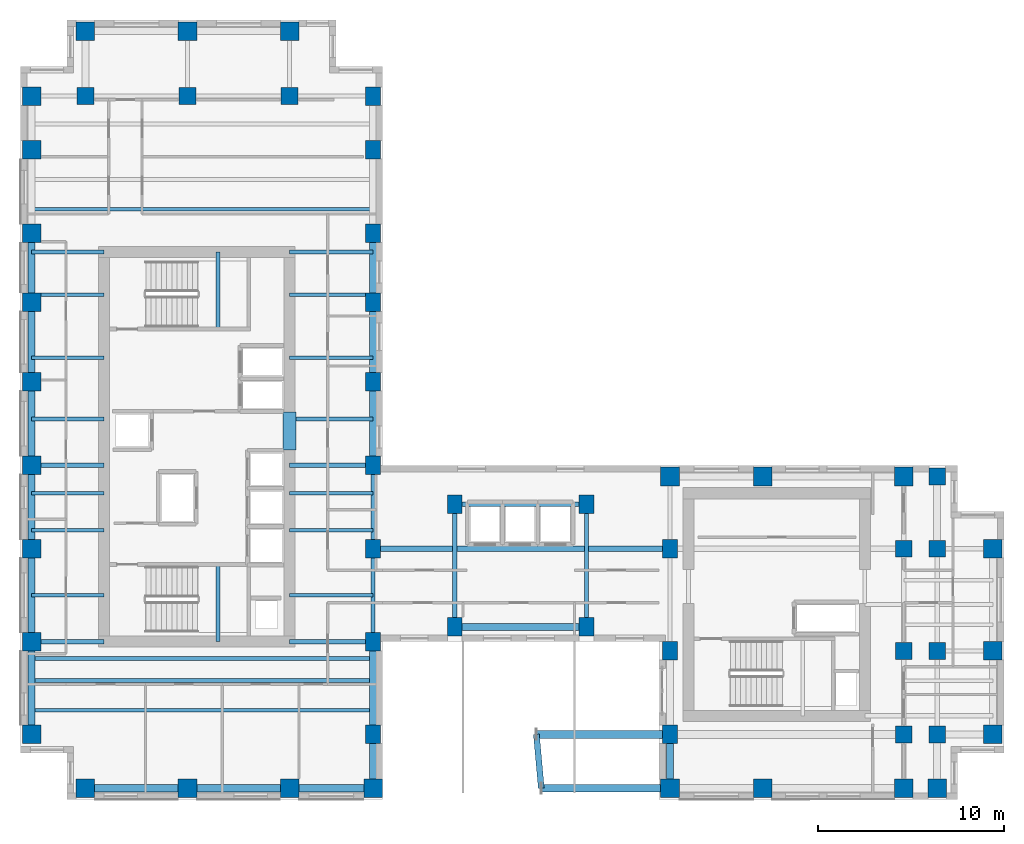
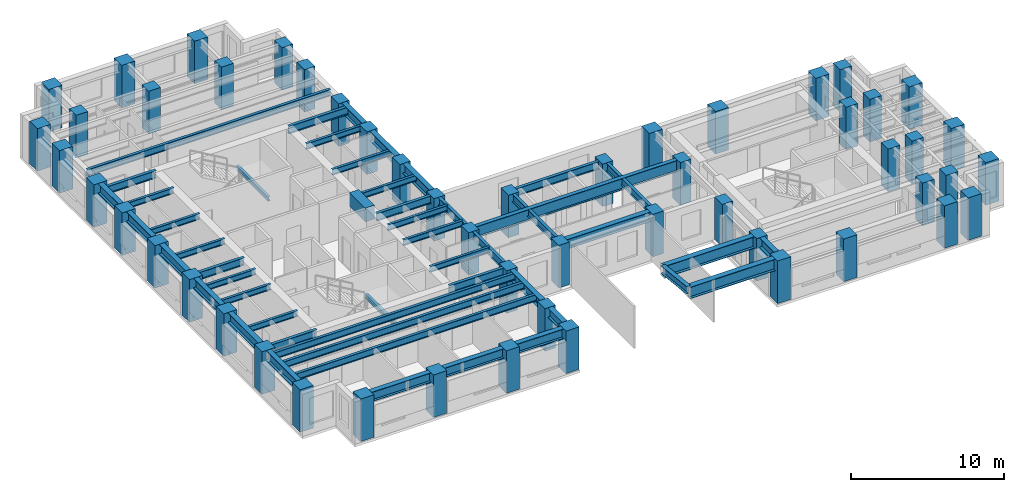
# One storey, part 1 of 13: 52 columns, 50 beams.
"""IFC4 building model written with IfcOpenShell, lengths in metres."""

from ifc_helpers import new_model, si_unit, direction, frame, origin, origin_2d, place, context, subcontext, project, spatial, rectangle, i_section, extrude, source, transform, mapped, material, material_profile, profile_set, type_object, element, save


model = new_model("IFC4")

# Units and contexts
model_context = context("Model", 3, precision=1e-05, world=origin(), true_north=direction((0.0, 1.0)))
body_context = subcontext(model_context, "Body", "Model", "MODEL_VIEW")
ifc_project = project(units=[si_unit("LENGTHUNIT", "METRE"), si_unit("AREAUNIT", "SQUARE_METRE"), si_unit("VOLUMEUNIT", "CUBIC_METRE"), si_unit("PLANEANGLEUNIT", "RADIAN"), si_unit("MASSUNIT", "GRAM", prefix="KILO")], contexts=[model_context])

# Site, building, storey
site_placement = place(None, origin())
site = spatial("IfcSite", under=ifc_project, at=site_placement, CompositionType="ELEMENT")
building_placement = place(site_placement, origin())
building = spatial("IfcBuilding", under=site, at=building_placement, Name="Kharzan Plaza Tower", CompositionType="ELEMENT")
storey_placement = place(building_placement, frame((0.0, 0.0, 189.89990234375)))
storey = spatial("IfcBuildingStorey", under=building, at=storey_placement, Name="L51", CompositionType="ELEMENT", Elevation=189.89990234375)

# Columns
ifc_material_1 = material(Name="Concrete C50/60", Category="concrete")
ifc_material_profile_1 = material_profile(ifc_material_1, rectangle(XDim=0.89990234375, YDim=0.89990234375, at=origin_2d()), Name="RC-IC900x900")
ifc_profile_set_1 = profile_set([ifc_material_profile_1], Name="Concrete C50/60")
column_type_1 = type_object("IfcColumnType", Name="COL-IC900", PredefinedType="COLUMN", material=ifc_profile_set_1)
shared_shape_1 = source(origin(), body_context, "Body", "SweptSolid", [
    extrude(rectangle(XDim=0.89990234375, YDim=0.89990234375, at=origin_2d()), origin(), (0.0, 0.0, 1.0), 3.400146484375),
])
for number, where, z_axis, x_axis, name in (
    (1, (47.60009765625, 13.5, 0.0), (0.0, 0.0, 1.0), (1.0, 0.0, 0.0), "L51 Structural Column TCBI-135"),
    (2, (47.60009765625, 3.5, 0.0), (0.0, 0.0, 1.0), (1.0, 0.0, 0.0), "L51 Structural Column TCBI-35"),
    (3, (47.60009765625, 8.0, 0.0), (0.0, 0.0, 1.0), (1.0, 0.0, 0.0), "L51 Structural Column TCBI-80"),
    (4, (49.39990234375, 13.5, 0.0), (0.0, 0.0, 1.0), (1.0, 0.0, 0.0), "L51 Structural Column TCE-494-135"),
    (5, (49.39990234375, 17.39990234375, 0.0), (0.0, 0.0, 1.0), (1.0, 0.0, 0.0), "L51 Structural Column TCE-494-174"),
    (6, (49.39990234375, 3.5, 0.0), (0.0, 0.0, 1.0), (1.0, 0.0, 0.0), "L51 Structural Column TCE-494-35"),
    (7, (49.39990234375, 8.0, 0.0), (0.0, 0.0, 1.0), (1.0, 0.0, 0.0), "L51 Structural Column TCE-494-80"),
    (8, (14.5, 37.89990234375, 0.0), (0.0, 0.0, 1.0), (1.0, 0.0, 0.0), "L51 Structural Column TCN-145-379"),
    (9, (3.5, 37.89990234375, 0.0), (0.0, 0.0, 1.0), (1.0, 0.0, 0.0), "L51 Structural Column TCN-35-379"),
    (10, (9.0, 37.89990234375, 0.0), (0.0, 0.0, 1.0), (1.0, 0.0, 0.0), "L51 Structural Column TCN-90-379"),
):
    element("IfcColumn", number, at=place(storey_placement, frame(where, z_axis=z_axis, x_axis=x_axis)), inside=storey, type_object=column_type_1, Name=name, PredefinedType="COLUMN", context=body_context, shape_type="MappedRepresentation", body=[
        mapped(shared_shape_1, transform((0.0, 0.0, 0.0), x_axis=(1.0, 0.0, 0.0), y_axis=(0.0, 1.0, 0.0), z_axis=(0.0, 0.0, 1.0))),
    ])
ifc_material_profile_2 = material_profile(ifc_material_1, rectangle(XDim=0.800048828125, YDim=1.0, at=origin_2d()), Name="RC-SC1000x800")
ifc_profile_set_2 = profile_set([ifc_material_profile_2], Name="Concrete C50/60")
column_type_2 = type_object("IfcColumnType", Name="COL-SC1000", PredefinedType="COLUMN", material=ifc_profile_set_2)
shared_shape_2 = source(origin(), body_context, "Body", "SweptSolid", [
    extrude(rectangle(XDim=0.800048828125, YDim=1.0, at=origin_2d()), origin(), (0.0, 0.0, 1.0), 3.400146484375),
])
for number, where, z_axis, x_axis, name in (
    (11, (19.0, 13.5, 0.0), (0.0, 0.0, 1.0), (1.0, 0.0, 0.0), "L51 Structural Column TCA-135"),
    (12, (19.0, 18.0, 0.0), (0.0, 0.0, 1.0), (1.0, 0.0, 0.0), "L51 Structural Column TCA-180"),
    (13, (19.0, 22.5, 0.0), (0.0, 0.0, 1.0), (1.0, 0.0, 0.0), "L51 Structural Column TCA-225"),
    (14, (19.0, 26.800048828125, 0.0), (0.0, 0.0, 1.0), (1.0, 0.0, 0.0), "L51 Structural Column TCA-268"),
    (15, (19.0, 30.5, 0.0), (0.0, 0.0, 1.0), (1.0, 0.0, 0.0), "L51 Structural Column TCA-305"),
    (16, (19.0, 3.5, 0.0), (0.0, 0.0, 1.0), (1.0, 0.0, 0.0), "L51 Structural Column TCA-35"),
    (17, (19.0, 35.0, 0.0), (0.0, 0.0, 1.0), (1.0, 0.0, 0.0), "L51 Structural Column TCA-350"),
    (18, (19.0, 37.89990234375, 0.0), (0.0, 0.0, 1.0), (1.0, 0.0, 0.0), "L51 Structural Column TCA-379"),
    (19, (19.0, 8.5, 0.0), (0.0, 0.0, 1.0), (1.0, 0.0, 0.0), "L51 Structural Column TCA-85"),
    (20, (35.0, 13.5, 0.0), (0.0, 0.0, 1.0), (1.0, 0.0, 0.0), "L51 Structural Column TCBS-135"),
    (21, (35.0, 3.5, 0.0), (0.0, 0.0, 1.0), (1.0, 0.0, 0.0), "L51 Structural Column TCBS-35"),
    (22, (35.0, 8.0, 0.0), (0.0, 0.0, 1.0), (1.0, 0.0, 0.0), "L51 Structural Column TCBS-80"),
    (23, (23.39990234375, 15.89990234375, 0.0), (0.0, 0.0, 1.0), (1.0, 0.0, 0.0), "L51 Structural Column TCSP-234-159"),
    (24, (23.39990234375, 9.300048828125, 0.0), (0.0, 0.0, 1.0), (1.0, 0.0, 0.0), "L51 Structural Column TCSP-234-93"),
    (25, (30.5, 15.89990234375, 0.0), (0.0, 0.0, 1.0), (1.0, 0.0, 0.0), "L51 Structural Column TCSP-305-159"),
    (26, (30.5, 9.300048828125, 0.0), (0.0, 0.0, 1.0), (1.0, 0.0, 0.0), "L51 Structural Column TCSP-305-93"),
):
    element("IfcColumn", number, at=place(storey_placement, frame(where, z_axis=z_axis, x_axis=x_axis)), inside=storey, type_object=column_type_2, Name=name, PredefinedType="COLUMN", context=body_context, shape_type="MappedRepresentation", body=[
        mapped(shared_shape_2, transform((0.0, 0.0, 0.0), x_axis=(1.0, 0.0, 0.0), y_axis=(0.0, 1.0, 0.0), z_axis=(0.0, 0.0, 1.0))),
    ])
ifc_material_profile_3 = material_profile(ifc_material_1, rectangle(XDim=1.0, YDim=1.0, at=origin_2d()), Name="RC-TC1000x1000")
ifc_profile_set_3 = profile_set([ifc_material_profile_3], Name="Concrete C50/60")
column_type_3 = type_object("IfcColumnType", Name="COL-TC1000", PredefinedType="COLUMN", material=ifc_profile_set_3)
shared_shape_3 = source(origin(), body_context, "Body", "SweptSolid", [
    extrude(rectangle(XDim=1.0, YDim=1.0, at=origin_2d()), origin(), (0.0, 0.0, 1.0), 3.400146484375),
])
for number, where, z_axis, x_axis, name in (
    (27, (35.0, 17.39990234375, 0.0), (0.0, 0.0, 1.0), (1.0, 0.0, 0.0), "L51 Structural Column TCBN-350-174"),
    (28, (40.0, 17.39990234375, 0.0), (0.0, 0.0, 1.0), (1.0, 0.0, 0.0), "L51 Structural Column TCBN-400-174"),
    (29, (47.60009765625, 17.39990234375, 0.0), (0.0, 0.0, 1.0), (1.0, 0.0, 0.0), "L51 Structural Column TCBN-476-174"),
    (30, (52.39990234375, 13.5, 0.0), (0.0, 0.0, 1.0), (1.0, 0.0, 0.0), "L51 Structural Column TCE-524-135"),
    (31, (52.39990234375, 3.5, 0.0), (0.0, 0.0, 1.0), (1.0, 0.0, 0.0), "L51 Structural Column TCE-524-35"),
    (32, (52.39990234375, 8.0, 0.0), (0.0, 0.0, 1.0), (1.0, 0.0, 0.0), "L51 Structural Column TCE-524-80"),
    (33, (14.5, 41.39990234375, 0.0), (0.0, 0.0, 1.0), (1.0, 0.0, 0.0), "L51 Structural Column TCN-145-414"),
    (34, (3.5, 41.39990234375, 0.0), (0.0, 0.0, 1.0), (1.0, 0.0, 0.0), "L51 Structural Column TCN-35-414"),
    (35, (9.0, 41.39990234375, 0.0), (0.0, 0.0, 1.0), (1.0, 0.0, 0.0), "L51 Structural Column TCN-90-414"),
    (36, (14.5, 0.60009765625, 0.0), (0.0, 0.0, 1.0), (1.0, 0.0, 0.0), "L51 Structural Column TCS-145"),
    (37, (19.0, 0.60009765625, 0.0), (0.0, 0.0, 1.0), (1.0, 0.0, 0.0), "L51 Structural Column TCS-190"),
    (38, (3.5, 0.60009765625, 0.0), (0.0, 0.0, 1.0), (1.0, 0.0, 0.0), "L51 Structural Column TCS-35"),
    (39, (35.0, 0.60009765625, 0.0), (0.0, 0.0, 1.0), (1.0, 0.0, 0.0), "L51 Structural Column TCS-350"),
    (40, (40.0, 0.60009765625, 0.0), (0.0, 0.0, 1.0), (1.0, 0.0, 0.0), "L51 Structural Column TCS-400"),
    (41, (47.60009765625, 0.60009765625, 0.0), (0.0, 0.0, 1.0), (1.0, 0.0, 0.0), "L51 Structural Column TCS-476"),
    (42, (49.39990234375, 0.60009765625, 0.0), (0.0, 0.0, 1.0), (1.0, 0.0, 0.0), "L51 Structural Column TCS-494"),
    (43, (9.0, 0.60009765625, 0.0), (0.0, 0.0, 1.0), (1.0, 0.0, 0.0), "L51 Structural Column TCS-90"),
    (44, (0.60009765625, 13.5, 0.0), (0.0, 0.0, 1.0), (1.0, 0.0, 0.0), "L51 Structural Column TCW-135"),
    (45, (0.60009765625, 18.0, 0.0), (0.0, 0.0, 1.0), (1.0, 0.0, 0.0), "L51 Structural Column TCW-180"),
    (46, (0.60009765625, 22.5, 0.0), (0.0, 0.0, 1.0), (1.0, 0.0, 0.0), "L51 Structural Column TCW-225"),
    (47, (0.60009765625, 26.800048828125, 0.0), (0.0, 0.0, 1.0), (1.0, 0.0, 0.0), "L51 Structural Column TCW-268"),
    (48, (0.60009765625, 30.5, 0.0), (0.0, 0.0, 1.0), (1.0, 0.0, 0.0), "L51 Structural Column TCW-305"),
    (49, (0.60009765625, 3.5, 0.0), (0.0, 0.0, 1.0), (1.0, 0.0, 0.0), "L51 Structural Column TCW-35"),
    (50, (0.60009765625, 35.0, 0.0), (0.0, 0.0, 1.0), (1.0, 0.0, 0.0), "L51 Structural Column TCW-350"),
    (51, (0.60009765625, 37.89990234375, 0.0), (0.0, 0.0, 1.0), (1.0, 0.0, 0.0), "L51 Structural Column TCW-379"),
    (52, (0.60009765625, 8.5, 0.0), (0.0, 0.0, 1.0), (1.0, 0.0, 0.0), "L51 Structural Column TCW-85"),
):
    element("IfcColumn", number, at=place(storey_placement, frame(where, z_axis=z_axis, x_axis=x_axis)), inside=storey, type_object=column_type_3, Name=name, PredefinedType="COLUMN", context=body_context, shape_type="MappedRepresentation", body=[
        mapped(shared_shape_3, transform((0.0, 0.0, 0.0), x_axis=(1.0, 0.0, 0.0), y_axis=(0.0, 1.0, 0.0), z_axis=(0.0, 0.0, 1.0))),
    ])

# Beams
ifc_material_2 = material(Name="Concrete C60/75", Category="concrete")
ifc_material_profile_4 = material_profile(ifc_material_2, rectangle(XDim=0.699951171875, YDim=1.10009765625, at=origin_2d()), Name="RC-CB1100x700")
ifc_profile_set_4 = profile_set([ifc_material_profile_4], Name="Concrete C60/75")
beam_type_1 = type_object("IfcBeamType", Name="BM-RCCB1100", PredefinedType="LINTEL", material=ifc_profile_set_4)
shared_shape_4 = source(origin(), body_context, "Body", "SweptSolid", [
    extrude(rectangle(XDim=0.699951171875, YDim=1.10009765625, at=origin_2d()), origin(), (0.0, 0.0, 1.0), 2.059814453125),
])
beam_1_placement = place(storey_placement, frame((14.5, 18.820068359375, 2.85009765625), z_axis=(0.0, 1.0, 0.0), x_axis=(-1.0, 0.0, 0.0)))
element("IfcBeam", 53, at=beam_1_placement, inside=storey, type_object=beam_type_1, Name="L51 CORE-A RC coupling beam CB1", PredefinedType="LINTEL", context=body_context, shape_type="MappedRepresentation", body=[
    mapped(shared_shape_4, transform((0.0, 0.0, 0.0), x_axis=(1.0, 0.0, 0.0), y_axis=(0.0, 1.0, 0.0), z_axis=(0.0, 0.0, 1.0))),
])
ifc_material_3 = material(Name="Steel S355", Category="steel")
ifc_material_profile_5 = material_profile(ifc_material_3, i_section(OverallWidth=0.205078125, OverallDepth=0.35400390625, WebThickness=0.009521484375, FlangeThickness=0.016845703125, at=origin_2d()), Name="W360x79")
ifc_profile_set_5 = profile_set([ifc_material_profile_5], Name="Steel S355")
beam_type_2 = type_object("IfcBeamType", Name="BM-LNT360", PredefinedType="LINTEL", material=ifc_profile_set_5)
shared_shape_5 = source(origin(), body_context, "Body", "SweptSolid", [
    extrude(i_section(OverallWidth=0.205078125, OverallDepth=0.35400390625, WebThickness=0.009521484375, FlangeThickness=0.016845703125, at=origin_2d()), origin(), (0.0, 0.0, 1.0), 4.155029296875),
])
for number, where, z_axis, x_axis, name in (
    (54, (10.64990234375, 8.5, 1.423095703125), (0.0, 1.0, 0.0), (-1.0, 0.0, 0.0), "L51 Stair ST-1 Half-Landing Beam"),
    (55, (10.64990234375, 25.344970703125, 1.423095703125), (0.0, 1.0, 0.0), (-1.0, 0.0, 0.0), "L51 Stair ST-2 Half-Landing Beam"),
):
    element("IfcBeam", number, at=place(storey_placement, frame(where, z_axis=z_axis, x_axis=x_axis)), inside=storey, type_object=beam_type_2, Name=name, PredefinedType="LINTEL", context=body_context, shape_type="MappedRepresentation", body=[
        mapped(shared_shape_5, transform((0.0, 0.0, 0.0), x_axis=(1.0, 0.0, 0.0), y_axis=(0.0, 1.0, 0.0), z_axis=(0.0, 0.0, 1.0))),
    ])
ifc_material_profile_6 = material_profile(ifc_material_3, i_section(OverallWidth=0.304931640625, OverallDepth=0.9189453125, WebThickness=0.017333984375, FlangeThickness=0.02783203125, at=origin_2d()), Name="W920x253")
ifc_profile_set_6 = profile_set([ifc_material_profile_6], Name="Steel S355")
beam_type_3 = type_object("IfcBeamType", Name="BM-FG920B", PredefinedType="BEAM", material=ifc_profile_set_6)
shared_shape_6 = source(origin(), body_context, "Body", "SweptSolid", [
    extrude(i_section(OverallWidth=0.304931640625, OverallDepth=0.9189453125, WebThickness=0.017333984375, FlangeThickness=0.02783203125, at=origin_2d()), origin(), (0.0, 0.0, 1.0), 16.0),
])
beam_2_placement = place(storey_placement, frame((19.0, 13.5, 2.940673828125), z_axis=(1.0, 0.0, 0.0), x_axis=(0.0, 1.0, 0.0)))
element("IfcBeam", 56, at=beam_2_placement, inside=storey, type_object=beam_type_3, Name="L51 Primary Floor Girder", PredefinedType="BEAM", context=body_context, shape_type="MappedRepresentation", body=[
    mapped(shared_shape_6, transform((0.0, 0.0, 0.0), x_axis=(1.0, 0.0, 0.0), y_axis=(0.0, 1.0, 0.0), z_axis=(0.0, 0.0, 1.0))),
])
ifc_material_profile_7 = material_profile(ifc_material_3, i_section(OverallWidth=0.2099609375, OverallDepth=0.537109375, WebThickness=0.010986328125, FlangeThickness=0.017333984375, at=origin_2d()), Name="W530x101")
ifc_profile_set_7 = profile_set([ifc_material_profile_7], Name="Steel S355")
beam_type_4 = type_object("IfcBeamType", Name="BM-JST530B", PredefinedType="JOIST", material=ifc_profile_set_7)
shared_shape_7 = source(origin(), body_context, "Body", "SweptSolid", [
    extrude(i_section(OverallWidth=0.2099609375, OverallDepth=0.537109375, WebThickness=0.010986328125, FlangeThickness=0.017333984375, at=origin_2d()), origin(), (0.0, 0.0, 1.0), 18.39990234375),
])
for number, where, z_axis, x_axis, name in (
    (57, (0.60009765625, 4.800048828125, 3.131591796875), (1.0, 0.0, 0.0), (0.0, 1.0, 0.0), "L51 Wing A Composite Joist 01"),
    (58, (0.60009765625, 6.39990234375, 3.131591796875), (1.0, 0.0, 0.0), (0.0, 1.0, 0.0), "L51 Wing A Composite Joist 02"),
    (59, (0.60009765625, 7.60009765625, 3.131591796875), (1.0, 0.0, 0.0), (0.0, 1.0, 0.0), "L51 Wing A Composite Joist 03"),
    (60, (0.60009765625, 31.800048828125, 3.131591796875), (1.0, 0.0, 0.0), (0.0, 1.0, 0.0), "L51 Wing A Composite Joist 04"),
):
    element("IfcBeam", number, at=place(storey_placement, frame(where, z_axis=z_axis, x_axis=x_axis)), inside=storey, type_object=beam_type_4, Name=name, PredefinedType="JOIST", context=body_context, shape_type="MappedRepresentation", body=[
        mapped(shared_shape_7, transform((0.0, 0.0, 0.0), x_axis=(1.0, 0.0, 0.0), y_axis=(0.0, 1.0, 0.0), z_axis=(0.0, 0.0, 1.0))),
    ])
ifc_material_profile_8 = material_profile(ifc_material_3, i_section(OverallWidth=0.194091796875, OverallDepth=0.468994140625, WebThickness=0.011474609375, FlangeThickness=0.0205078125, at=origin_2d()), Name="W460x106")
ifc_profile_set_8 = profile_set([ifc_material_profile_8], Name="Steel S355")
beam_type_5 = type_object("IfcBeamType", Name="BM-JST460", PredefinedType="JOIST", material=ifc_profile_set_8)
shared_shape_8 = source(origin(), body_context, "Body", "SweptSolid", [
    extrude(i_section(OverallWidth=0.194091796875, OverallDepth=0.468994140625, WebThickness=0.011474609375, FlangeThickness=0.0205078125, at=origin_2d()), origin(), (0.0, 0.0, 1.0), 4.5),
])
for number, where, z_axis, x_axis, name in (
    (61, (14.5, 11.0, 3.16552734375), (1.0, 0.0, 0.0), (0.0, 1.0, 0.0), "L51 Wing A East Infill Joist 1"),
    (62, (14.5, 14.5, 3.16552734375), (1.0, 0.0, 0.0), (0.0, 1.0, 0.0), "L51 Wing A East Infill Joist 2"),
    (63, (14.5, 16.5, 3.16552734375), (1.0, 0.0, 0.0), (0.0, 1.0, 0.0), "L51 Wing A East Infill Joist 3"),
    (64, (14.5, 20.5, 3.16552734375), (1.0, 0.0, 0.0), (0.0, 1.0, 0.0), "L51 Wing A East Infill Joist 4"),
    (65, (14.5, 23.800048828125, 3.16552734375), (1.0, 0.0, 0.0), (0.0, 1.0, 0.0), "L51 Wing A East Infill Joist 5"),
    (66, (14.5, 27.199951171875, 3.16552734375), (1.0, 0.0, 0.0), (0.0, 1.0, 0.0), "L51 Wing A East Infill Joist 6"),
):
    element("IfcBeam", number, at=place(storey_placement, frame(where, z_axis=z_axis, x_axis=x_axis)), inside=storey, type_object=beam_type_5, Name=name, PredefinedType="JOIST", context=body_context, shape_type="MappedRepresentation", body=[
        mapped(shared_shape_8, transform((0.0, 0.0, 0.0), x_axis=(1.0, 0.0, 0.0), y_axis=(0.0, 1.0, 0.0), z_axis=(0.0, 0.0, 1.0))),
    ])
shared_shape_9 = source(origin(), body_context, "Body", "SweptSolid", [
    extrude(i_section(OverallWidth=0.194091796875, OverallDepth=0.468994140625, WebThickness=0.011474609375, FlangeThickness=0.0205078125, at=origin_2d()), origin(), (0.0, 0.0, 1.0), 3.89990234375),
])
for number, where, z_axis, x_axis, name in (
    (67, (0.60009765625, 11.0, 3.16552734375), (1.0, 0.0, 0.0), (0.0, 1.0, 0.0), "L51 Wing A West Infill Joist 1"),
    (68, (0.60009765625, 14.5, 3.16552734375), (1.0, 0.0, 0.0), (0.0, 1.0, 0.0), "L51 Wing A West Infill Joist 2"),
    (69, (0.60009765625, 16.5, 3.16552734375), (1.0, 0.0, 0.0), (0.0, 1.0, 0.0), "L51 Wing A West Infill Joist 3"),
    (70, (0.60009765625, 20.5, 3.16552734375), (1.0, 0.0, 0.0), (0.0, 1.0, 0.0), "L51 Wing A West Infill Joist 4"),
    (71, (0.60009765625, 23.800048828125, 3.16552734375), (1.0, 0.0, 0.0), (0.0, 1.0, 0.0), "L51 Wing A West Infill Joist 5"),
    (72, (0.60009765625, 27.199951171875, 3.16552734375), (1.0, 0.0, 0.0), (0.0, 1.0, 0.0), "L51 Wing A West Infill Joist 6"),
):
    element("IfcBeam", number, at=place(storey_placement, frame(where, z_axis=z_axis, x_axis=x_axis)), inside=storey, type_object=beam_type_5, Name=name, PredefinedType="JOIST", context=body_context, shape_type="MappedRepresentation", body=[
        mapped(shared_shape_9, transform((0.0, 0.0, 0.0), x_axis=(1.0, 0.0, 0.0), y_axis=(0.0, 1.0, 0.0), z_axis=(0.0, 0.0, 1.0))),
    ])
ifc_material_profile_9 = material_profile(ifc_material_3, i_section(OverallWidth=0.41796875, OverallDepth=0.93701171875, WebThickness=0.019287109375, FlangeThickness=0.031982421875, at=origin_2d()), Name="W920x342")
ifc_profile_set_9 = profile_set([ifc_material_profile_9], Name="Steel S355")
beam_type_6 = type_object("IfcBeamType", Name="BM-ZTG920", PredefinedType="BEAM", material=ifc_profile_set_9)
shared_shape_10 = source(origin(), body_context, "Body", "SweptSolid", [
    extrude(i_section(OverallWidth=0.41796875, OverallDepth=0.93701171875, WebThickness=0.019287109375, FlangeThickness=0.031982421875, at=origin_2d()), origin(), (0.0, 0.0, 1.0), 7.199951171875),
])
beam_3_placement = place(storey_placement, frame((35.0, 3.5, 2.91650390625), z_axis=(-1.0, 0.0, 0.0), x_axis=(0.0, -1.0, 0.0)))
element("IfcBeam", 73, at=beam_3_placement, inside=storey, type_object=beam_type_6, Name="L51 Sky-Terrace Cantilever Girder ZTG1 (L52 G2)", PredefinedType="BEAM", context=body_context, shape_type="MappedRepresentation", body=[
    mapped(shared_shape_10, transform((0.0, 0.0, 0.0), x_axis=(1.0, 0.0, 0.0), y_axis=(0.0, 1.0, 0.0), z_axis=(0.0, 0.0, 1.0))),
])
shared_shape_11 = source(origin(), body_context, "Body", "SweptSolid", [
    extrude(i_section(OverallWidth=0.41796875, OverallDepth=0.93701171875, WebThickness=0.019287109375, FlangeThickness=0.031982421875, at=origin_2d()), origin(), (0.0, 0.0, 1.0), 6.93603515625),
])
beam_4_placement = place(storey_placement, frame((35.0, 0.60009765625, 2.91650390625), z_axis=(-1.0, 0.0, 0.0), x_axis=(0.0, -1.0, 0.0)))
element("IfcBeam", 74, at=beam_4_placement, inside=storey, type_object=beam_type_6, Name="L51 Sky-Terrace Cantilever Girder ZTG1 (L52 G1)", PredefinedType="BEAM", context=body_context, shape_type="MappedRepresentation", body=[
    mapped(shared_shape_11, transform((0.0, 0.0, 0.0), x_axis=(1.0, 0.0, 0.0), y_axis=(0.0, 1.0, 0.0), z_axis=(0.0, 0.0, 1.0))),
])
ifc_material_profile_10 = material_profile(ifc_material_3, i_section(OverallWidth=0.324951171875, OverallDepth=0.615966796875, WebThickness=0.013916015625, FlangeThickness=0.021484375, at=origin_2d()), Name="W610x174")
ifc_profile_set_10 = profile_set([ifc_material_profile_10], Name="Steel S355")
beam_type_7 = type_object("IfcBeamType", Name="BM-ZTT610", PredefinedType="BEAM", material=ifc_profile_set_10)
shared_shape_12 = source(origin(), body_context, "Body", "SweptSolid", [
    extrude(i_section(OverallWidth=0.324951171875, OverallDepth=0.615966796875, WebThickness=0.013916015625, FlangeThickness=0.021484375, at=origin_2d()), origin(), (0.0, 0.0, 1.0), 2.911865234375),
])
beam_5_placement = place(storey_placement, frame((28.06396484375, 0.60009765625, 3.0771484375), z_axis=(-0.090634020309, 0.995884267555, 0.0), x_axis=(-0.995884267555, -0.090634020309, 0.0)))
element("IfcBeam", 75, at=beam_5_placement, inside=storey, type_object=beam_type_7, Name="L51 Sky-Terrace Edge Trimmer Beam ZTT1 (L52)", PredefinedType="BEAM", context=body_context, shape_type="MappedRepresentation", body=[
    mapped(shared_shape_12, transform((0.0, 0.0, 0.0), x_axis=(1.0, 0.0, 0.0), y_axis=(0.0, 1.0, 0.0), z_axis=(0.0, 0.0, 1.0))),
])
ifc_material_profile_11 = material_profile(ifc_material_3, i_section(OverallWidth=0.22900390625, OverallDepth=0.612060546875, WebThickness=0.011962890625, FlangeThickness=0.01953125, at=origin_2d()), Name="W610x125")
ifc_profile_set_11 = profile_set([ifc_material_profile_11], Name="Steel S355")
beam_type_8 = type_object("IfcBeamType", Name="BM-FG610B", PredefinedType="BEAM", material=ifc_profile_set_11)
shared_shape_13 = source(origin(), body_context, "Body", "SweptSolid", [
    extrude(i_section(OverallWidth=0.22900390625, OverallDepth=0.612060546875, WebThickness=0.011962890625, FlangeThickness=0.01953125, at=origin_2d()), origin(), (0.0, 0.0, 1.0), 4.5),
])
for number, where, z_axis, x_axis, name in (
    (76, (14.5, 8.5, 3.093994140625), (1.0, 0.0, 0.0), (0.0, 1.0, 0.0), "L51 Core-A East Floor Girder 1"),
    (77, (14.5, 18.0, 3.093994140625), (1.0, 0.0, 0.0), (0.0, 1.0, 0.0), "L51 Core-A East Floor Girder 2"),
    (78, (14.5, 29.5, 3.093994140625), (1.0, 0.0, 0.0), (0.0, 1.0, 0.0), "L51 Core-A East Floor Girder 3"),
    (79, (19.0, 13.5, 3.093994140625), (0.0, 1.0, 0.0), (-1.0, 0.0, 0.0), "L51 Interior Frame Girder"),
):
    element("IfcBeam", number, at=place(storey_placement, frame(where, z_axis=z_axis, x_axis=x_axis)), inside=storey, type_object=beam_type_8, Name=name, PredefinedType="BEAM", context=body_context, shape_type="MappedRepresentation", body=[
        mapped(shared_shape_13, transform((0.0, 0.0, 0.0), x_axis=(1.0, 0.0, 0.0), y_axis=(0.0, 1.0, 0.0), z_axis=(0.0, 0.0, 1.0))),
    ])
shared_shape_14 = source(origin(), body_context, "Body", "SweptSolid", [
    extrude(i_section(OverallWidth=0.22900390625, OverallDepth=0.612060546875, WebThickness=0.011962890625, FlangeThickness=0.01953125, at=origin_2d()), origin(), (0.0, 0.0, 1.0), 3.89990234375),
])
for number, where, z_axis, x_axis, name in (
    (80, (0.60009765625, 8.5, 3.093994140625), (1.0, 0.0, 0.0), (0.0, 1.0, 0.0), "L51 Core-A West Floor Girder 1"),
    (81, (0.60009765625, 18.0, 3.093994140625), (1.0, 0.0, 0.0), (0.0, 1.0, 0.0), "L51 Core-A West Floor Girder 2"),
    (82, (0.60009765625, 29.5, 3.093994140625), (1.0, 0.0, 0.0), (0.0, 1.0, 0.0), "L51 Core-A West Floor Girder 3"),
):
    element("IfcBeam", number, at=place(storey_placement, frame(where, z_axis=z_axis, x_axis=x_axis)), inside=storey, type_object=beam_type_8, Name=name, PredefinedType="BEAM", context=body_context, shape_type="MappedRepresentation", body=[
        mapped(shared_shape_14, transform((0.0, 0.0, 0.0), x_axis=(1.0, 0.0, 0.0), y_axis=(0.0, 1.0, 0.0), z_axis=(0.0, 0.0, 1.0))),
    ])
shared_shape_15 = source(origin(), body_context, "Body", "SweptSolid", [
    extrude(i_section(OverallWidth=0.22900390625, OverallDepth=0.612060546875, WebThickness=0.011962890625, FlangeThickness=0.01953125, at=origin_2d()), origin(), (0.0, 0.0, 1.0), 5.0),
])
beam_6_placement = place(storey_placement, frame((19.0, 8.5, 3.093994140625), z_axis=(0.0, 1.0, 0.0), x_axis=(-1.0, 0.0, 0.0)))
element("IfcBeam", 83, at=beam_6_placement, inside=storey, type_object=beam_type_8, Name="L51 Interior Frame Girder", PredefinedType="BEAM", context=body_context, shape_type="MappedRepresentation", body=[
    mapped(shared_shape_15, transform((0.0, 0.0, 0.0), x_axis=(1.0, 0.0, 0.0), y_axis=(0.0, 1.0, 0.0), z_axis=(0.0, 0.0, 1.0))),
])
shared_shape_16 = source(origin(), body_context, "Body", "SweptSolid", [
    extrude(i_section(OverallWidth=0.22900390625, OverallDepth=0.612060546875, WebThickness=0.011962890625, FlangeThickness=0.01953125, at=origin_2d()), origin(), (0.0, 0.0, 1.0), 6.599853515625),
])
for number, where, z_axis, x_axis, name in (
    (84, (23.39990234375, 9.300048828125, 3.093994140625), (0.0, 1.0, 0.0), (-1.0, 0.0, 0.0), "L51 Interior Frame Girder"),
    (85, (30.5, 9.300048828125, 3.093994140625), (0.0, 1.0, 0.0), (-1.0, 0.0, 0.0), "L51 Interior Frame Girder"),
):
    element("IfcBeam", number, at=place(storey_placement, frame(where, z_axis=z_axis, x_axis=x_axis)), inside=storey, type_object=beam_type_8, Name=name, PredefinedType="BEAM", context=body_context, shape_type="MappedRepresentation", body=[
        mapped(shared_shape_16, transform((0.0, 0.0, 0.0), x_axis=(1.0, 0.0, 0.0), y_axis=(0.0, 1.0, 0.0), z_axis=(0.0, 0.0, 1.0))),
    ])
shared_shape_17 = source(origin(), body_context, "Body", "SweptSolid", [
    extrude(i_section(OverallWidth=0.22900390625, OverallDepth=0.612060546875, WebThickness=0.011962890625, FlangeThickness=0.01953125, at=origin_2d()), origin(), (0.0, 0.0, 1.0), 7.10009765625),
])
beam_7_placement = place(storey_placement, frame((23.39990234375, 15.89990234375, 3.093994140625), z_axis=(1.0, 0.0, 0.0), x_axis=(0.0, 1.0, 0.0)))
element("IfcBeam", 86, at=beam_7_placement, inside=storey, type_object=beam_type_8, Name="L51 Primary Floor Girder", PredefinedType="BEAM", context=body_context, shape_type="MappedRepresentation", body=[
    mapped(shared_shape_17, transform((0.0, 0.0, 0.0), x_axis=(1.0, 0.0, 0.0), y_axis=(0.0, 1.0, 0.0), z_axis=(0.0, 0.0, 1.0))),
])
ifc_material_profile_12 = material_profile(ifc_material_3, i_section(OverallWidth=0.381103515625, OverallDepth=0.77294921875, WebThickness=0.0166015625, FlangeThickness=0.027587890625, at=origin_2d()), Name="W760x257")
ifc_profile_set_12 = profile_set([ifc_material_profile_12], Name="Steel S355")
beam_type_9 = type_object("IfcBeamType", Name="BM-SP760A", PredefinedType="SPANDREL", material=ifc_profile_set_12)
shared_shape_18 = source(origin(), body_context, "Body", "SweptSolid", [
    extrude(i_section(OverallWidth=0.381103515625, OverallDepth=0.77294921875, WebThickness=0.0166015625, FlangeThickness=0.027587890625, at=origin_2d()), origin(), (0.0, 0.0, 1.0), 5.0),
])
for number, where, z_axis, x_axis, name in (
    (87, (0.60009765625, 3.5, 3.013671875), (0.0, 1.0, 0.0), (-1.0, 0.0, 0.0), "L51 Perimeter Tube Spandrel"),
    (88, (0.60009765625, 8.5, 3.013671875), (0.0, 1.0, 0.0), (-1.0, 0.0, 0.0), "L51 Perimeter Tube Spandrel"),
    (89, (19.0, 3.5, 3.013671875), (0.0, 1.0, 0.0), (-1.0, 0.0, 0.0), "L51 Perimeter Tube Spandrel"),
):
    element("IfcBeam", number, at=place(storey_placement, frame(where, z_axis=z_axis, x_axis=x_axis)), inside=storey, type_object=beam_type_9, Name=name, PredefinedType="SPANDREL", context=body_context, shape_type="MappedRepresentation", body=[
        mapped(shared_shape_18, transform((0.0, 0.0, 0.0), x_axis=(1.0, 0.0, 0.0), y_axis=(0.0, 1.0, 0.0), z_axis=(0.0, 0.0, 1.0))),
    ])
shared_shape_19 = source(origin(), body_context, "Body", "SweptSolid", [
    extrude(i_section(OverallWidth=0.381103515625, OverallDepth=0.77294921875, WebThickness=0.0166015625, FlangeThickness=0.027587890625, at=origin_2d()), origin(), (0.0, 0.0, 1.0), 4.5),
])
for number, where, z_axis, x_axis, name in (
    (90, (0.60009765625, 13.5, 3.013671875), (0.0, 1.0, 0.0), (-1.0, 0.0, 0.0), "L51 Perimeter Tube Spandrel"),
    (91, (0.60009765625, 18.0, 3.013671875), (0.0, 1.0, 0.0), (-1.0, 0.0, 0.0), "L51 Perimeter Tube Spandrel"),
    (92, (19.0, 18.0, 3.013671875), (0.0, 1.0, 0.0), (-1.0, 0.0, 0.0), "L51 Perimeter Tube Spandrel"),
    (93, (14.5, 0.60009765625, 3.013671875), (1.0, 0.0, 0.0), (0.0, 1.0, 0.0), "L51 Perimeter Tube Spandrel"),
):
    element("IfcBeam", number, at=place(storey_placement, frame(where, z_axis=z_axis, x_axis=x_axis)), inside=storey, type_object=beam_type_9, Name=name, PredefinedType="SPANDREL", context=body_context, shape_type="MappedRepresentation", body=[
        mapped(shared_shape_19, transform((0.0, 0.0, 0.0), x_axis=(1.0, 0.0, 0.0), y_axis=(0.0, 1.0, 0.0), z_axis=(0.0, 0.0, 1.0))),
    ])
shared_shape_20 = source(origin(), body_context, "Body", "SweptSolid", [
    extrude(i_section(OverallWidth=0.381103515625, OverallDepth=0.77294921875, WebThickness=0.0166015625, FlangeThickness=0.027587890625, at=origin_2d()), origin(), (0.0, 0.0, 1.0), 4.300048828125),
])
for number, where, z_axis, x_axis, name in (
    (94, (0.60009765625, 22.5, 3.013671875), (0.0, 1.0, 0.0), (-1.0, 0.0, 0.0), "L51 Perimeter Tube Spandrel"),
    (95, (19.0, 22.5, 3.013671875), (0.0, 1.0, 0.0), (-1.0, 0.0, 0.0), "L51 Perimeter Tube Spandrel"),
):
    element("IfcBeam", number, at=place(storey_placement, frame(where, z_axis=z_axis, x_axis=x_axis)), inside=storey, type_object=beam_type_9, Name=name, PredefinedType="SPANDREL", context=body_context, shape_type="MappedRepresentation", body=[
        mapped(shared_shape_20, transform((0.0, 0.0, 0.0), x_axis=(1.0, 0.0, 0.0), y_axis=(0.0, 1.0, 0.0), z_axis=(0.0, 0.0, 1.0))),
    ])
shared_shape_21 = source(origin(), body_context, "Body", "SweptSolid", [
    extrude(i_section(OverallWidth=0.381103515625, OverallDepth=0.77294921875, WebThickness=0.0166015625, FlangeThickness=0.027587890625, at=origin_2d()), origin(), (0.0, 0.0, 1.0), 3.699951171875),
])
for number, where, z_axis, x_axis, name in (
    (96, (0.60009765625, 26.800048828125, 3.013671875), (0.0, 1.0, 0.0), (-1.0, 0.0, 0.0), "L51 Perimeter Tube Spandrel"),
    (97, (19.0, 26.800048828125, 3.013671875), (0.0, 1.0, 0.0), (-1.0, 0.0, 0.0), "L51 Perimeter Tube Spandrel"),
):
    element("IfcBeam", number, at=place(storey_placement, frame(where, z_axis=z_axis, x_axis=x_axis)), inside=storey, type_object=beam_type_9, Name=name, PredefinedType="SPANDREL", context=body_context, shape_type="MappedRepresentation", body=[
        mapped(shared_shape_21, transform((0.0, 0.0, 0.0), x_axis=(1.0, 0.0, 0.0), y_axis=(0.0, 1.0, 0.0), z_axis=(0.0, 0.0, 1.0))),
    ])
shared_shape_22 = source(origin(), body_context, "Body", "SweptSolid", [
    extrude(i_section(OverallWidth=0.381103515625, OverallDepth=0.77294921875, WebThickness=0.0166015625, FlangeThickness=0.027587890625, at=origin_2d()), origin(), (0.0, 0.0, 1.0), 2.89990234375),
])
for number, where, z_axis, x_axis, name in (
    (98, (19.0, 0.60009765625, 3.013671875), (0.0, 1.0, 0.0), (-1.0, 0.0, 0.0), "L51 Perimeter Tube Spandrel"),
    (99, (35.0, 0.60009765625, 3.013671875), (0.0, 1.0, 0.0), (-1.0, 0.0, 0.0), "L51 Perimeter Tube Spandrel"),
):
    element("IfcBeam", number, at=place(storey_placement, frame(where, z_axis=z_axis, x_axis=x_axis)), inside=storey, type_object=beam_type_9, Name=name, PredefinedType="SPANDREL", context=body_context, shape_type="MappedRepresentation", body=[
        mapped(shared_shape_22, transform((0.0, 0.0, 0.0), x_axis=(1.0, 0.0, 0.0), y_axis=(0.0, 1.0, 0.0), z_axis=(0.0, 0.0, 1.0))),
    ])
shared_shape_23 = source(origin(), body_context, "Body", "SweptSolid", [
    extrude(i_section(OverallWidth=0.381103515625, OverallDepth=0.77294921875, WebThickness=0.0166015625, FlangeThickness=0.027587890625, at=origin_2d()), origin(), (0.0, 0.0, 1.0), 5.5),
])
for number, where, z_axis, x_axis, name in (
    (100, (3.5, 0.60009765625, 3.013671875), (1.0, 0.0, 0.0), (0.0, 1.0, 0.0), "L51 Perimeter Tube Spandrel"),
    (101, (9.0, 0.60009765625, 3.013671875), (1.0, 0.0, 0.0), (0.0, 1.0, 0.0), "L51 Perimeter Tube Spandrel"),
):
    element("IfcBeam", number, at=place(storey_placement, frame(where, z_axis=z_axis, x_axis=x_axis)), inside=storey, type_object=beam_type_9, Name=name, PredefinedType="SPANDREL", context=body_context, shape_type="MappedRepresentation", body=[
        mapped(shared_shape_23, transform((0.0, 0.0, 0.0), x_axis=(1.0, 0.0, 0.0), y_axis=(0.0, 1.0, 0.0), z_axis=(0.0, 0.0, 1.0))),
    ])
shared_shape_24 = source(origin(), body_context, "Body", "SweptSolid", [
    extrude(i_section(OverallWidth=0.381103515625, OverallDepth=0.77294921875, WebThickness=0.0166015625, FlangeThickness=0.027587890625, at=origin_2d()), origin(), (0.0, 0.0, 1.0), 7.10009765625),
])
beam_8_placement = place(storey_placement, frame((23.39990234375, 9.300048828125, 3.013671875), z_axis=(1.0, 0.0, 0.0), x_axis=(0.0, 1.0, 0.0)))
element("IfcBeam", 102, at=beam_8_placement, inside=storey, type_object=beam_type_9, Name="L51 Perimeter Tube Spandrel", PredefinedType="SPANDREL", context=body_context, shape_type="MappedRepresentation", body=[
    mapped(shared_shape_24, transform((0.0, 0.0, 0.0), x_axis=(1.0, 0.0, 0.0), y_axis=(0.0, 1.0, 0.0), z_axis=(0.0, 0.0, 1.0))),
])

save(model, "model.ifc")
